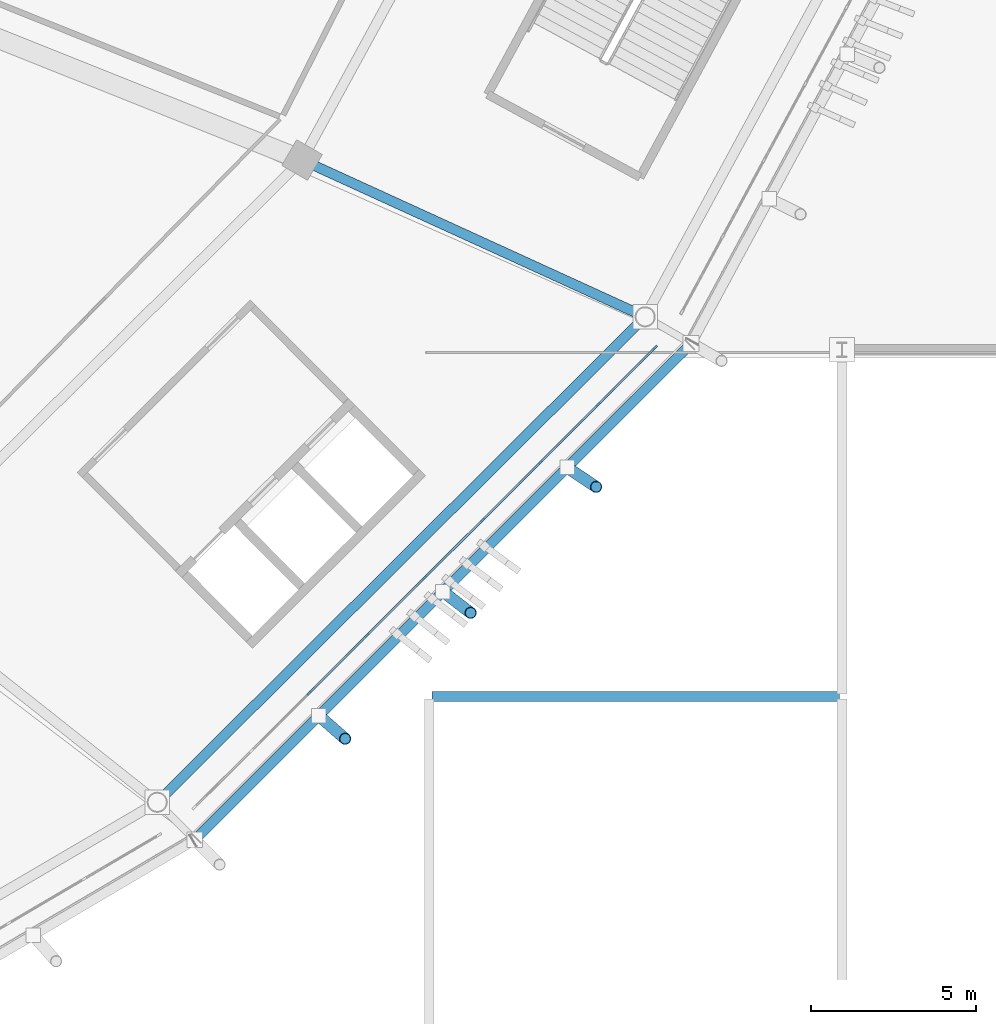
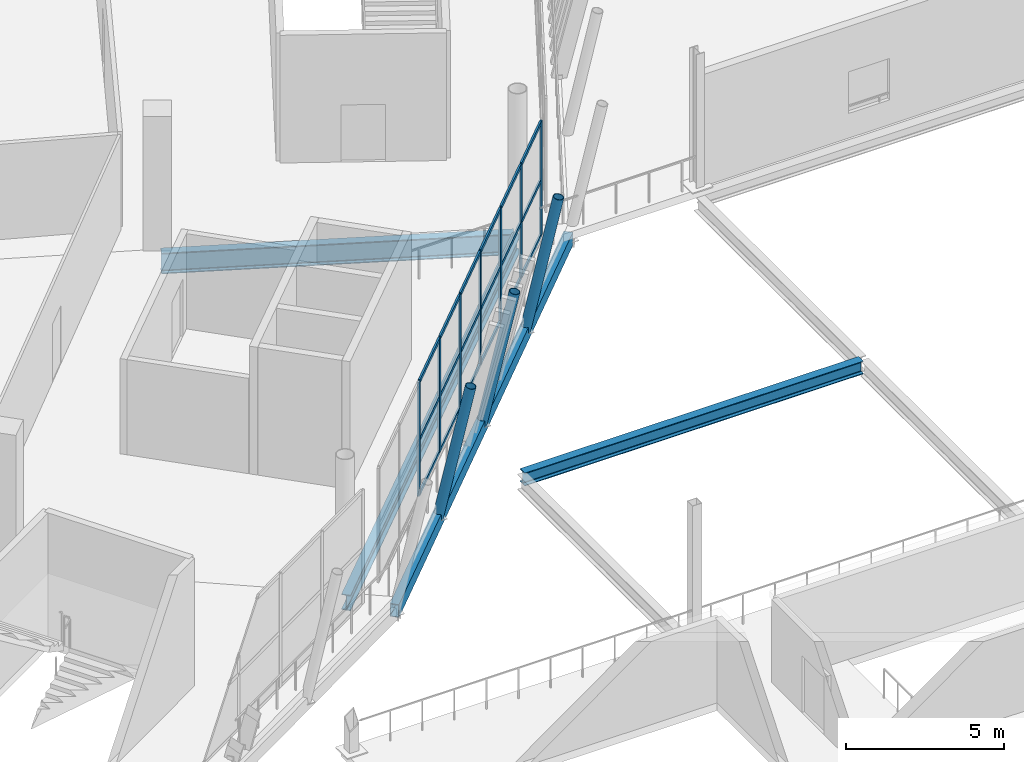
# One storey, part 57 of 178: 28 members, 4 beams, 1 element without a shape of its own.
"""IFC4 building model written with IfcOpenShell, lengths in metres."""

from ifc_helpers import new_model, si_unit, direction, frame, origin, origin_2d, place, context, subcontext, project, spatial, rectangle, hollow_rectangle, hollow_circle, i_section, extrude, material, material_profile, profile_set, type_object, element, aggregate, save


model = new_model("IFC4")

# Units and contexts
model_context = context("Model", 3, precision=1e-05, world=origin(), true_north=direction((0.0, 1.0)))
body_context = subcontext(model_context, "Body", "Model", "MODEL_VIEW")
ifc_project = project(units=[si_unit("LENGTHUNIT", "METRE"), si_unit("AREAUNIT", "SQUARE_METRE"), si_unit("VOLUMEUNIT", "CUBIC_METRE"), si_unit("PLANEANGLEUNIT", "RADIAN"), si_unit("MASSUNIT", "GRAM", prefix="KILO")], contexts=[model_context])

# Site, building, storey
site_placement = place(None, origin())
site = spatial("IfcSite", under=ifc_project, at=site_placement, CompositionType="ELEMENT")
building_placement = place(site_placement, origin())
building = spatial("IfcBuilding", under=site, at=building_placement, Name="Zlatoyarsky Gate Stadium", CompositionType="ELEMENT")
storey_placement = place(building_placement, frame((0.0, 0.0, 5.39990234375)))
storey = spatial("IfcBuildingStorey", under=building, at=storey_placement, Name="L01", CompositionType="ELEMENT", Elevation=5.39990234375)

# Curtain wall, members
ifc_material_1 = material(Name="Thermally broken anodised aluminium curtain wall", Category="aluminium")
curtain_wall_type = type_object("IfcCurtainWallType", Name="UNITISED HOSPITALITY GLAZING L01", PredefinedType="USERDEFINED", material=ifc_material_1)
curtain_wall_placement = place(storey_placement, origin())
curtain_wall = element("IfcCurtainWall", 1, at=curtain_wall_placement, inside=storey, type_object=curtain_wall_type, Name="Curtain wall CW-L01-21", ObjectType="UNITISED GLAZING", PredefinedType="USERDEFINED")
ifc_material_2 = material(Name="Anodised aluminium 6063-T6", Category="aluminium")
ifc_material_profile_1 = material_profile(ifc_material_2, rectangle(XDim=0.06494140625, YDim=0.159912109375, at=origin_2d()), Name="ALU 65X160")
ifc_profile_set_1 = profile_set([ifc_material_profile_1], Name="Anodised aluminium 6063-T6")
member_type_1 = type_object("IfcMemberType", Name="ALUMINIUM MULLION 65X160", PredefinedType="MULLION", material=ifc_profile_set_1)
member_1_placement = place(storey_placement, frame((181.3642578125, 33.105712890625, 0.0), z_axis=(0.0, 0.0, 1.0), x_axis=(-0.706370937898, 0.707841859523, 0.0)))
member_1 = element("IfcMember", 2, at=member_1_placement, type_object=member_type_1, Name="CW-UG1 mullion 3", PredefinedType="MULLION", context=body_context, shape_type="SweptSolid", body=[
    extrude(rectangle(XDim=0.06494140625, YDim=0.159912109375, at=origin_2d()), origin(), (0.0, 0.0, 1.0), 4.400146484375),
])
member_2_placement = place(storey_placement, frame((183.11474609375, 34.8525390625, 0.0), z_axis=(0.0, 0.0, 1.0), x_axis=(-0.706370937898, 0.707841859523, 0.0)))
member_2 = element("IfcMember", 3, at=member_2_placement, type_object=member_type_1, Name="CW-UG1 mullion 4", PredefinedType="MULLION", context=body_context, shape_type="SweptSolid", body=[
    extrude(rectangle(XDim=0.06494140625, YDim=0.159912109375, at=origin_2d()), origin(), (0.0, 0.0, 1.0), 4.400146484375),
])
member_3_placement = place(storey_placement, frame((184.865234375, 36.599365234375, 0.0), z_axis=(0.0, 0.0, 1.0), x_axis=(-0.706370937898, 0.707841859523, 0.0)))
member_3 = element("IfcMember", 4, at=member_3_placement, type_object=member_type_1, Name="CW-UG1 mullion 5", PredefinedType="MULLION", context=body_context, shape_type="SweptSolid", body=[
    extrude(rectangle(XDim=0.06494140625, YDim=0.159912109375, at=origin_2d()), origin(), (0.0, 0.0, 1.0), 4.400146484375),
])
member_4_placement = place(storey_placement, frame((186.61572265625, 38.34619140625, 0.0), z_axis=(0.0, 0.0, 1.0), x_axis=(-0.706370937898, 0.707841859523, 0.0)))
member_4 = element("IfcMember", 5, at=member_4_placement, type_object=member_type_1, Name="CW-UG1 mullion 6", PredefinedType="MULLION", context=body_context, shape_type="SweptSolid", body=[
    extrude(rectangle(XDim=0.06494140625, YDim=0.159912109375, at=origin_2d()), origin(), (0.0, 0.0, 1.0), 4.400146484375),
])
member_5_placement = place(storey_placement, frame((188.3662109375, 40.093017578125, 0.0), z_axis=(0.0, 0.0, 1.0), x_axis=(-0.706370937898, 0.707841859523, 0.0)))
member_5 = element("IfcMember", 6, at=member_5_placement, type_object=member_type_1, Name="CW-UG1 mullion 7", PredefinedType="MULLION", context=body_context, shape_type="SweptSolid", body=[
    extrude(rectangle(XDim=0.06494140625, YDim=0.159912109375, at=origin_2d()), origin(), (0.0, 0.0, 1.0), 4.400146484375),
])
member_6_placement = place(storey_placement, frame((190.116455078125, 41.83984375, 0.0), z_axis=(0.0, 0.0, 1.0), x_axis=(-0.706370937898, 0.707841859523, 0.0)))
member_6 = element("IfcMember", 7, at=member_6_placement, type_object=member_type_1, Name="CW-UG1 mullion 8", PredefinedType="MULLION", context=body_context, shape_type="SweptSolid", body=[
    extrude(rectangle(XDim=0.06494140625, YDim=0.159912109375, at=origin_2d()), origin(), (0.0, 0.0, 1.0), 4.400146484375),
])
member_7_placement = place(storey_placement, frame((191.843994140625, 43.563720703125, 0.0), z_axis=(0.0, 0.0, 1.0), x_axis=(-0.706370937898, 0.707841859523, 0.0)))
member_7 = element("IfcMember", 8, at=member_7_placement, type_object=member_type_1, Name="CW-UG1 mullion 9", PredefinedType="MULLION", context=body_context, shape_type="SweptSolid", body=[
    extrude(rectangle(XDim=0.06494140625, YDim=0.159912109375, at=origin_2d()), origin(), (0.0, 0.0, 1.0), 4.400146484375),
])
ifc_material_profile_2 = material_profile(ifc_material_2, rectangle(XDim=0.06494140625, YDim=0.139892578125, at=origin_2d()), Name="ALU 65X140")
ifc_profile_set_2 = profile_set([ifc_material_profile_2], Name="Anodised aluminium 6063-T6")
member_type_2 = type_object("IfcMemberType", Name="ALUMINIUM TRANSOM 65X140", PredefinedType="USERDEFINED", material=ifc_profile_set_2)
member_8_placement = place(storey_placement, frame((181.38720703125, 33.128662109375, 0.03271484375), z_axis=(0.707866756289, 0.706345988408, 0.0), x_axis=(-0.706345988408, 0.707866756289, 0.0)))
member_8 = element("IfcMember", 9, at=member_8_placement, type_object=member_type_2, Name="CW-UG1 transom 3.1", ObjectType="TRANSOM", PredefinedType="USERDEFINED", context=body_context, shape_type="SweptSolid", body=[
    extrude(rectangle(XDim=0.06494140625, YDim=0.139892578125, at=origin_2d()), origin(), (0.0, 0.0, 1.0), 2.407958984375),
])
member_9_placement = place(storey_placement, frame((181.38720703125, 33.128662109375, 2.150146484375), z_axis=(0.707866756289, 0.706345988408, 0.0), x_axis=(-0.706345988408, 0.707866756289, 0.0)))
member_9 = element("IfcMember", 10, at=member_9_placement, type_object=member_type_2, Name="CW-UG1 transom 3.2", ObjectType="TRANSOM", PredefinedType="USERDEFINED", context=body_context, shape_type="SweptSolid", body=[
    extrude(rectangle(XDim=0.06494140625, YDim=0.139892578125, at=origin_2d()), origin(), (0.0, 0.0, 1.0), 2.407958984375),
])
member_10_placement = place(storey_placement, frame((181.38720703125, 33.128662109375, 4.36767578125), z_axis=(0.707866756289, 0.706345988408, 0.0), x_axis=(-0.706345988408, 0.707866756289, 0.0)))
member_10 = element("IfcMember", 11, at=member_10_placement, type_object=member_type_2, Name="CW-UG1 transom 3.3", ObjectType="TRANSOM", PredefinedType="USERDEFINED", context=body_context, shape_type="SweptSolid", body=[
    extrude(rectangle(XDim=0.06494140625, YDim=0.139892578125, at=origin_2d()), origin(), (0.0, 0.0, 1.0), 2.407958984375),
])
member_11_placement = place(storey_placement, frame((183.1376953125, 34.87548828125, 0.03271484375), z_axis=(0.707866756289, 0.706345988408, 0.0), x_axis=(-0.706345988408, 0.707866756289, 0.0)))
member_11 = element("IfcMember", 12, at=member_11_placement, type_object=member_type_2, Name="CW-UG1 transom 4.1", ObjectType="TRANSOM", PredefinedType="USERDEFINED", context=body_context, shape_type="SweptSolid", body=[
    extrude(rectangle(XDim=0.06494140625, YDim=0.139892578125, at=origin_2d()), origin(), (0.0, 0.0, 1.0), 2.407958984375),
])
member_12_placement = place(storey_placement, frame((183.1376953125, 34.87548828125, 2.150146484375), z_axis=(0.707866756289, 0.706345988408, 0.0), x_axis=(-0.706345988408, 0.707866756289, 0.0)))
member_12 = element("IfcMember", 13, at=member_12_placement, type_object=member_type_2, Name="CW-UG1 transom 4.2", ObjectType="TRANSOM", PredefinedType="USERDEFINED", context=body_context, shape_type="SweptSolid", body=[
    extrude(rectangle(XDim=0.06494140625, YDim=0.139892578125, at=origin_2d()), origin(), (0.0, 0.0, 1.0), 2.407958984375),
])
member_13_placement = place(storey_placement, frame((183.1376953125, 34.87548828125, 4.36767578125), z_axis=(0.707866756289, 0.706345988408, 0.0), x_axis=(-0.706345988408, 0.707866756289, 0.0)))
member_13 = element("IfcMember", 14, at=member_13_placement, type_object=member_type_2, Name="CW-UG1 transom 4.3", ObjectType="TRANSOM", PredefinedType="USERDEFINED", context=body_context, shape_type="SweptSolid", body=[
    extrude(rectangle(XDim=0.06494140625, YDim=0.139892578125, at=origin_2d()), origin(), (0.0, 0.0, 1.0), 2.407958984375),
])
member_14_placement = place(storey_placement, frame((184.88818359375, 36.622314453125, 0.03271484375), z_axis=(0.707816167604, 0.70639668238, 0.0), x_axis=(-0.70639668238, 0.707816167604, 0.0)))
member_14 = element("IfcMember", 15, at=member_14_placement, type_object=member_type_2, Name="CW-UG1 transom 5.1", ObjectType="TRANSOM", PredefinedType="USERDEFINED", context=body_context, shape_type="SweptSolid", body=[
    extrude(rectangle(XDim=0.06494140625, YDim=0.139892578125, at=origin_2d()), origin(), (0.0, 0.0, 1.0), 2.407958984375),
])
member_15_placement = place(storey_placement, frame((184.88818359375, 36.622314453125, 2.150146484375), z_axis=(0.707816167604, 0.70639668238, 0.0), x_axis=(-0.70639668238, 0.707816167604, 0.0)))
member_15 = element("IfcMember", 16, at=member_15_placement, type_object=member_type_2, Name="CW-UG1 transom 5.2", ObjectType="TRANSOM", PredefinedType="USERDEFINED", context=body_context, shape_type="SweptSolid", body=[
    extrude(rectangle(XDim=0.06494140625, YDim=0.139892578125, at=origin_2d()), origin(), (0.0, 0.0, 1.0), 2.407958984375),
])
member_16_placement = place(storey_placement, frame((184.88818359375, 36.622314453125, 4.36767578125), z_axis=(0.707816167604, 0.70639668238, 0.0), x_axis=(-0.70639668238, 0.707816167604, 0.0)))
member_16 = element("IfcMember", 17, at=member_16_placement, type_object=member_type_2, Name="CW-UG1 transom 5.3", ObjectType="TRANSOM", PredefinedType="USERDEFINED", context=body_context, shape_type="SweptSolid", body=[
    extrude(rectangle(XDim=0.06494140625, YDim=0.139892578125, at=origin_2d()), origin(), (0.0, 0.0, 1.0), 2.407958984375),
])
member_17_placement = place(storey_placement, frame((186.638671875, 38.369140625, 0.03271484375), z_axis=(0.707816167604, 0.70639668238, 0.0), x_axis=(-0.70639668238, 0.707816167604, 0.0)))
member_17 = element("IfcMember", 18, at=member_17_placement, type_object=member_type_2, Name="CW-UG1 transom 6.1", ObjectType="TRANSOM", PredefinedType="USERDEFINED", context=body_context, shape_type="SweptSolid", body=[
    extrude(rectangle(XDim=0.06494140625, YDim=0.139892578125, at=origin_2d()), origin(), (0.0, 0.0, 1.0), 2.407958984375),
])
member_18_placement = place(storey_placement, frame((186.638671875, 38.369140625, 2.150146484375), z_axis=(0.707816167604, 0.70639668238, 0.0), x_axis=(-0.70639668238, 0.707816167604, 0.0)))
member_18 = element("IfcMember", 19, at=member_18_placement, type_object=member_type_2, Name="CW-UG1 transom 6.2", ObjectType="TRANSOM", PredefinedType="USERDEFINED", context=body_context, shape_type="SweptSolid", body=[
    extrude(rectangle(XDim=0.06494140625, YDim=0.139892578125, at=origin_2d()), origin(), (0.0, 0.0, 1.0), 2.407958984375),
])
member_19_placement = place(storey_placement, frame((186.638671875, 38.369140625, 4.36767578125), z_axis=(0.707816167604, 0.70639668238, 0.0), x_axis=(-0.70639668238, 0.707816167604, 0.0)))
member_19 = element("IfcMember", 20, at=member_19_placement, type_object=member_type_2, Name="CW-UG1 transom 6.3", ObjectType="TRANSOM", PredefinedType="USERDEFINED", context=body_context, shape_type="SweptSolid", body=[
    extrude(rectangle(XDim=0.06494140625, YDim=0.139892578125, at=origin_2d()), origin(), (0.0, 0.0, 1.0), 2.407958984375),
])
member_20_placement = place(storey_placement, frame((188.38916015625, 40.115966796875, 0.03271484375), z_axis=(0.707816167604, 0.70639668238, 0.0), x_axis=(-0.70639668238, 0.707816167604, 0.0)))
member_20 = element("IfcMember", 21, at=member_20_placement, type_object=member_type_2, Name="CW-UG1 transom 7.1", ObjectType="TRANSOM", PredefinedType="USERDEFINED", context=body_context, shape_type="SweptSolid", body=[
    extrude(rectangle(XDim=0.06494140625, YDim=0.139892578125, at=origin_2d()), origin(), (0.0, 0.0, 1.0), 2.407958984375),
])
member_21_placement = place(storey_placement, frame((188.38916015625, 40.115966796875, 2.150146484375), z_axis=(0.707816167604, 0.70639668238, 0.0), x_axis=(-0.70639668238, 0.707816167604, 0.0)))
member_21 = element("IfcMember", 22, at=member_21_placement, type_object=member_type_2, Name="CW-UG1 transom 7.2", ObjectType="TRANSOM", PredefinedType="USERDEFINED", context=body_context, shape_type="SweptSolid", body=[
    extrude(rectangle(XDim=0.06494140625, YDim=0.139892578125, at=origin_2d()), origin(), (0.0, 0.0, 1.0), 2.407958984375),
])
member_22_placement = place(storey_placement, frame((188.38916015625, 40.115966796875, 4.36767578125), z_axis=(0.707816167604, 0.70639668238, 0.0), x_axis=(-0.70639668238, 0.707816167604, 0.0)))
member_22 = element("IfcMember", 23, at=member_22_placement, type_object=member_type_2, Name="CW-UG1 transom 7.3", ObjectType="TRANSOM", PredefinedType="USERDEFINED", context=body_context, shape_type="SweptSolid", body=[
    extrude(rectangle(XDim=0.06494140625, YDim=0.139892578125, at=origin_2d()), origin(), (0.0, 0.0, 1.0), 2.407958984375),
])
member_23_placement = place(storey_placement, frame((190.1396484375, 41.86279296875, 0.03271484375), z_axis=(0.707825854859, 0.706386975526, 0.0), x_axis=(-0.706386975526, 0.707825854859, 0.0)))
member_23 = element("IfcMember", 24, at=member_23_placement, type_object=member_type_2, Name="CW-UG1 transom 8.1", ObjectType="TRANSOM", PredefinedType="USERDEFINED", context=body_context, shape_type="SweptSolid", body=[
    extrude(rectangle(XDim=0.06494140625, YDim=0.139892578125, at=origin_2d()), origin(), (0.0, 0.0, 1.0), 2.37548828125),
])
member_24_placement = place(storey_placement, frame((190.1396484375, 41.86279296875, 2.150146484375), z_axis=(0.707825854859, 0.706386975526, 0.0), x_axis=(-0.706386975526, 0.707825854859, 0.0)))
member_24 = element("IfcMember", 25, at=member_24_placement, type_object=member_type_2, Name="CW-UG1 transom 8.2", ObjectType="TRANSOM", PredefinedType="USERDEFINED", context=body_context, shape_type="SweptSolid", body=[
    extrude(rectangle(XDim=0.06494140625, YDim=0.139892578125, at=origin_2d()), origin(), (0.0, 0.0, 1.0), 2.37548828125),
])
member_25_placement = place(storey_placement, frame((190.1396484375, 41.86279296875, 4.36767578125), z_axis=(0.707825854859, 0.706386975526, 0.0), x_axis=(-0.706386975526, 0.707825854859, 0.0)))
member_25 = element("IfcMember", 26, at=member_25_placement, type_object=member_type_2, Name="CW-UG1 transom 8.3", ObjectType="TRANSOM", PredefinedType="USERDEFINED", context=body_context, shape_type="SweptSolid", body=[
    extrude(rectangle(XDim=0.06494140625, YDim=0.139892578125, at=origin_2d()), origin(), (0.0, 0.0, 1.0), 2.37548828125),
])
aggregate(curtain_wall, [member_1, member_2, member_3, member_4, member_5, member_6, member_7, member_8, member_9, member_10, member_11, member_12, member_13, member_14, member_15, member_16, member_17, member_18, member_19, member_20, member_21, member_22, member_23, member_24, member_25])

# Members
ifc_material_3 = material(Name="Steel S355", Category="steel")
ifc_material_profile_3 = material_profile(ifc_material_3, hollow_circle(Radius=0.177734375, WallThickness=0.02001953125, at=origin_2d()), Name="CHS 355.6X20")
ifc_profile_set_3 = profile_set([ifc_material_profile_3], Name="Steel S355")
member_type_3 = type_object("IfcMemberType", Name="STEEL LEANING RIB RING STRUT CHS 355.6X20", PredefinedType="STRUT", material=ifc_profile_set_3)
member_26_placement = place(storey_placement, frame((181.656982421875, 32.41748046875, -0.5498046875), z_axis=(0.149693382976, -0.131314005581, 0.979973735889), x_axis=(0.659449228853, 0.751749103468, 0.0)))
element("IfcMember", 27, at=member_26_placement, inside=storey, type_object=member_type_3, Name="Outward-leaning bowl louvre fin rib L01 21-1", PredefinedType="STRUT", context=body_context, shape_type="SweptSolid", body=[
    extrude(hollow_circle(Radius=0.177734375, WallThickness=0.02001953125, at=origin_2d()), origin(), (0.0, 0.0, 1.0), 5.32666015625),
])
member_27_placement = place(storey_placement, frame((185.416015625, 36.177001953125, -0.5498046875), z_axis=(0.157591840182, -0.120967093147, 0.980067229471), x_axis=(0.608896451371, 0.793249715731, 0.0)))
element("IfcMember", 28, at=member_27_placement, inside=storey, type_object=member_type_3, Name="Outward-leaning bowl louvre fin rib L01 21-2", PredefinedType="STRUT", context=body_context, shape_type="SweptSolid", body=[
    extrude(hollow_circle(Radius=0.177734375, WallThickness=0.02001953125, at=origin_2d()), origin(), (0.0, 0.0, 1.0), 5.326171875),
])
member_28_placement = place(storey_placement, frame((189.174560546875, 39.936279296875, -0.5498046875), z_axis=(0.165598335218, -0.110551670231, 0.979977305646), x_axis=(0.555231303326, 0.831695977992, 0.0)))
element("IfcMember", 29, at=member_28_placement, inside=storey, type_object=member_type_3, Name="Outward-leaning bowl louvre fin rib L01 21-3", PredefinedType="STRUT", context=body_context, shape_type="SweptSolid", body=[
    extrude(hollow_circle(Radius=0.177734375, WallThickness=0.02001953125, at=origin_2d()), origin(), (0.0, 0.0, 1.0), 5.32666015625),
])

# Beams
ifc_material_profile_4 = material_profile(ifc_material_3, hollow_rectangle(XDim=0.300048828125, YDim=0.5, WallThickness=0.02001953125, at=origin_2d()), Name="RHS 500X300X20")
ifc_profile_set_4 = profile_set([ifc_material_profile_4], Name="Steel S355")
beam_type_1 = type_object("IfcBeamType", Name="STEEL LOUVRE CARRIER SPANDREL RHS 500X300X20", PredefinedType="SPANDREL", material=ifc_profile_set_4)
beam_1_placement = place(storey_placement, frame((177.912353515625, 28.672119140625, -0.5498046875), z_axis=(0.707043513905, 0.707170042808, 0.0), x_axis=(-0.707170042808, 0.707043513905, 0.0)))
element("IfcBeam", 30, at=beam_1_placement, inside=storey, type_object=beam_type_1, Name="Beam SP-RHS500 BM-L01-SPD-21", PredefinedType="SPANDREL", context=body_context, shape_type="SweptSolid", body=[
    extrude(hollow_rectangle(XDim=0.300048828125, YDim=0.5, WallThickness=0.02001953125, at=origin_2d()), origin(), (0.0, 0.0, 1.0), 21.224853515625),
])
ifc_material_profile_5 = material_profile(ifc_material_3, i_section(OverallWidth=0.300048828125, OverallDepth=0.5, WebThickness=0.014404296875, FlangeThickness=0.028076171875, FilletRadius=0.027099609375, at=origin_2d()), Name="HEB 500")
ifc_profile_set_5 = profile_set([ifc_material_profile_5], Name="Steel S355")
beam_type_2 = type_object("IfcBeamType", Name="STEEL PRIMARY GIRDER HEB 500", PredefinedType="BEAM", material=ifc_profile_set_5)
beam_2_placement = place(storey_placement, frame((185.080078125, 33.0, -0.5498046875), z_axis=(1.0, 0.0, 0.0), x_axis=(0.0, 1.0, 0.0)))
element("IfcBeam", 31, at=beam_2_placement, inside=storey, type_object=beam_type_2, Name="Beam G-HEB500 BM-L01-WGX-16-D", PredefinedType="BEAM", context=body_context, shape_type="SweptSolid", body=[
    extrude(i_section(OverallWidth=0.300048828125, OverallDepth=0.5, WebThickness=0.014404296875, FlangeThickness=0.028076171875, FilletRadius=0.027099609375, at=origin_2d()), origin(), (0.0, 0.0, 1.0), 12.33984375),
])
ifc_material_profile_6 = material_profile(ifc_material_3, i_section(OverallWidth=0.300048828125, OverallDepth=0.60009765625, WebThickness=0.015380859375, FlangeThickness=0.030029296875, FilletRadius=0.027099609375, at=origin_2d()), Name="HEB 600")
ifc_profile_set_6 = profile_set([ifc_material_profile_6], Name="Steel S355")
beam_type_3 = type_object("IfcBeamType", Name="STEEL PRIMARY GIRDER HEB 600", PredefinedType="BEAM", material=ifc_profile_set_6)
beam_3_placement = place(storey_placement, frame((176.845947265625, 29.8798828125, -0.599853515625), z_axis=(0.708899260134, 0.705309746835, 0.0), x_axis=(-0.705309746835, 0.708899260134, 0.0)))
element("IfcBeam", 32, at=beam_3_placement, inside=storey, type_object=beam_type_3, Name="Beam G-HEB600 BM-L01-CRC-21", PredefinedType="BEAM", context=body_context, shape_type="SweptSolid", body=[
    extrude(i_section(OverallWidth=0.300048828125, OverallDepth=0.60009765625, WebThickness=0.015380859375, FlangeThickness=0.030029296875, FilletRadius=0.027099609375, at=origin_2d()), origin(), (0.0, 0.0, 1.0), 20.608642578125),
])
ifc_material_profile_7 = material_profile(ifc_material_3, i_section(OverallWidth=0.300048828125, OverallDepth=0.800048828125, WebThickness=0.017578125, FlangeThickness=0.032958984375, FilletRadius=0.030029296875, at=origin_2d()), Name="HEB 800")
ifc_profile_set_7 = profile_set([ifc_material_profile_7], Name="Steel S355")
beam_type_4 = type_object("IfcBeamType", Name="STEEL PRIMARY GIRDER HEB 800", PredefinedType="BEAM", material=ifc_profile_set_7)
beam_4_placement = place(storey_placement, frame((181.257080078125, 49.2001953125, -0.699951171875), z_axis=(0.909498994842, -0.415706120213, 0.0), x_axis=(0.415706120213, 0.909498994842, 0.0)))
element("IfcBeam", 33, at=beam_4_placement, inside=storey, type_object=beam_type_4, Name="Beam G-HEB800 BM-L01-RBC-22", PredefinedType="BEAM", context=body_context, shape_type="SweptSolid", body=[
    extrude(i_section(OverallWidth=0.300048828125, OverallDepth=0.800048828125, WebThickness=0.017578125, FlangeThickness=0.032958984375, FilletRadius=0.030029296875, at=origin_2d()), origin(), (0.0, 0.0, 1.0), 11.186767578125),
])

save(model, "model.ifc")
